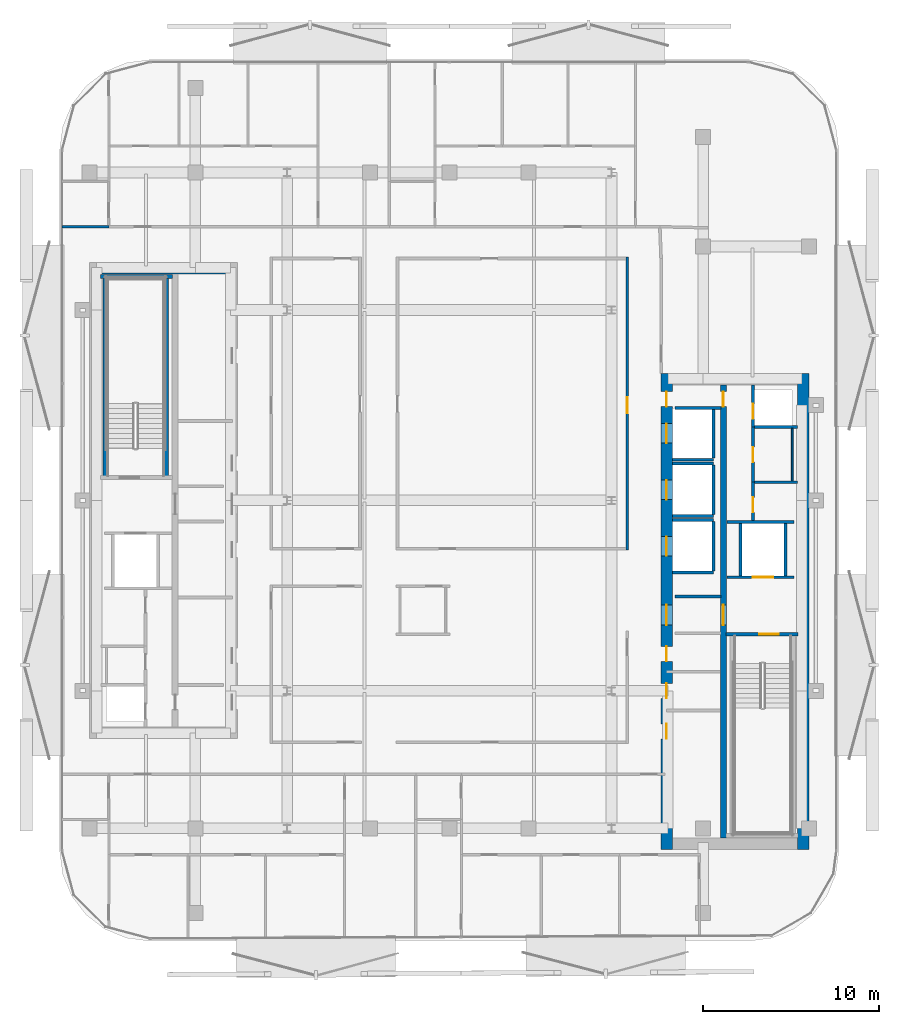
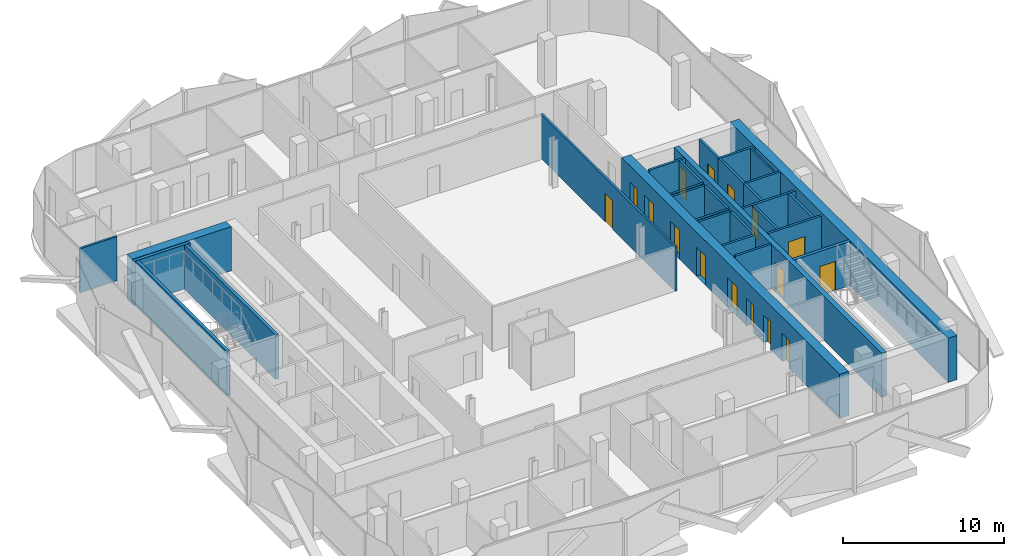
# One storey, part 5 of 14: 30 walls, 16 doors, 16 openings.
"""IFC4 building model written with IfcOpenShell, lengths in metres."""

from ifc_helpers import new_model, si_unit, direction, frame, frame_2d, origin, place, context, subcontext, project, spatial, rectangle, extrude, material, layer, layer_set, type_object, element, fill, save


model = new_model("IFC4")

# Units and contexts
model_context = context("Model", 3, precision=1e-05, world=origin(), true_north=direction((0.0, 1.0)))
body_context = subcontext(model_context, "Body", "Model", "MODEL_VIEW")
ifc_project = project(units=[si_unit("LENGTHUNIT", "METRE"), si_unit("AREAUNIT", "SQUARE_METRE"), si_unit("VOLUMEUNIT", "CUBIC_METRE"), si_unit("PLANEANGLEUNIT", "RADIAN"), si_unit("MASSUNIT", "GRAM", prefix="KILO")], contexts=[model_context])

# Site, building, storey
site_placement = place(None, origin())
site = spatial("IfcSite", under=ifc_project, at=site_placement, CompositionType="ELEMENT")
building_placement = place(site_placement, origin())
building = spatial("IfcBuilding", under=site, at=building_placement, Name="Khairoan Windgate Tower", CompositionType="ELEMENT")
storey_placement = place(building_placement, frame((0.0, 0.0, 233.199951171875)))
storey = spatial("IfcBuildingStorey", under=building, at=storey_placement, Name="L54", CompositionType="ELEMENT", Elevation=233.199951171875)

# Walls
ifc_material_1 = material(Name="Moisture-Resistant Gypsum Partition", Category="gypsum")
ifc_layer_1 = layer(ifc_material_1, 0.10009765625, Name="Moisture-Resistant Gypsum Partition")
ifc_layer_set_1 = layer_set([ifc_layer_1], Name="Moisture-Resistant Gypsum Partition")
wall_type_1 = type_object("IfcWallType", Name="Bathroom Wet-Area Partition Wall", PredefinedType="PARTITIONING", material=ifc_layer_set_1)
wall_1_placement = place(storey_placement, frame((19.449951171875, 4.090087890625, 0.0), z_axis=(0.0, 0.0, 1.0), x_axis=(0.0, -1.0, 0.0)))
element("IfcWall", 1, at=wall_1_placement, inside=storey, type_object=wall_type_1, Name="L54 Wet Room Side Wall 092", PredefinedType="PARTITIONING", context=body_context, shape_type="SweptSolid", body=[
    extrude(rectangle(XDim=2.97998046875, YDim=0.10009765625, at=frame_2d((1.489990234375, 0.0))), origin(), (0.0, 0.0, 1.0), 3.340087890625),
])
ifc_material_2 = material(Name="Concrete C40/50", Category="concrete")
ifc_layer_2 = layer(ifc_material_2, 0.159912109375, Name="Concrete C40/50")
ifc_layer_set_2 = layer_set([ifc_layer_2], Name="Concrete C40/50")
wall_type_2 = type_object("IfcWallType", Name="Core and Hoistway Enclosure Wall", PredefinedType="STANDARD", material=ifc_layer_set_2)
wall_2_placement = place(storey_placement, frame((12.64990234375, 2.31005859375, 0.0), z_axis=(0.0, 0.0, 1.0), x_axis=(1.0, 0.0, 0.0)))
element("IfcWall", 2, at=wall_2_placement, inside=storey, type_object=wall_type_2, Name="L54 Lift PL7 Hoistway Divider S", PredefinedType="STANDARD", context=body_context, shape_type="SweptSolid", body=[
    extrude(rectangle(XDim=2.340087890625, YDim=0.159912109375, at=frame_2d((1.169921875, 0.0))), origin(), (0.0, 0.0, 1.0), 3.340087890625),
])
wall_3_placement = place(storey_placement, frame((14.989990234375, 2.39990234375, 0.0), z_axis=(0.0, 0.0, 1.0), x_axis=(0.0, 1.0, 0.0)))
element("IfcWall", 3, at=wall_3_placement, inside=storey, type_object=wall_type_2, Name="L54 Lift PL7 Hoistway Back Wall", PredefinedType="STANDARD", context=body_context, shape_type="SweptSolid", body=[
    extrude(rectangle(XDim=2.800048828125, YDim=0.159912109375, at=frame_2d((1.39990234375, 0.0))), origin(), (0.0, 0.0, 1.0), 3.340087890625),
])
for number, where, z_axis, x_axis, name in (
    (4, (12.64990234375, -0.889892578125, 0.0), (0.0, 0.0, 1.0), (1.0, 0.0, 0.0), "L54 Lift PL8 Hoistway Divider S"),
    (5, (12.64990234375, 2.090087890625, 0.0), (0.0, 0.0, 1.0), (1.0, 0.0, 0.0), "L54 Lift PL8 Hoistway Divider N"),
):
    element("IfcWall", number, at=place(storey_placement, frame(where, z_axis=z_axis, x_axis=x_axis)), inside=storey, type_object=wall_type_2, Name=name, PredefinedType="STANDARD", context=body_context, shape_type="SweptSolid", body=[
        extrude(rectangle(XDim=2.340087890625, YDim=0.159912109375, at=frame_2d((1.169921875, 0.0))), origin(), (0.0, 0.0, 1.0), 3.340087890625),
    ])
wall_4_placement = place(storey_placement, frame((14.989990234375, -0.800048828125, 0.0), z_axis=(0.0, 0.0, 1.0), x_axis=(0.0, 1.0, 0.0)))
element("IfcWall", 6, at=wall_4_placement, inside=storey, type_object=wall_type_2, Name="L54 Lift PL8 Hoistway Back Wall", PredefinedType="STANDARD", context=body_context, shape_type="SweptSolid", body=[
    extrude(rectangle(XDim=2.800048828125, YDim=0.159912109375, at=frame_2d((1.39990234375, 0.0))), origin(), (0.0, 0.0, 1.0), 3.340087890625),
])
for number, where, z_axis, x_axis, name in (
    (7, (12.64990234375, -4.090087890625, 0.0), (0.0, 0.0, 1.0), (1.0, 0.0, 0.0), "L54 Lift PL9 Hoistway Divider S"),
    (8, (12.64990234375, -1.110107421875, 0.0), (0.0, 0.0, 1.0), (1.0, 0.0, 0.0), "L54 Lift PL9 Hoistway Divider N"),
):
    element("IfcWall", number, at=place(storey_placement, frame(where, z_axis=z_axis, x_axis=x_axis)), inside=storey, type_object=wall_type_2, Name=name, PredefinedType="STANDARD", context=body_context, shape_type="SweptSolid", body=[
        extrude(rectangle(XDim=2.340087890625, YDim=0.159912109375, at=frame_2d((1.169921875, 0.0))), origin(), (0.0, 0.0, 1.0), 3.340087890625),
    ])
wall_5_placement = place(storey_placement, frame((14.989990234375, -4.0, 0.0), z_axis=(0.0, 0.0, 1.0), x_axis=(0.0, 1.0, 0.0)))
element("IfcWall", 9, at=wall_5_placement, inside=storey, type_object=wall_type_2, Name="L54 Lift PL9 Hoistway Back Wall", PredefinedType="STANDARD", context=body_context, shape_type="SweptSolid", body=[
    extrude(rectangle(XDim=2.800048828125, YDim=0.159912109375, at=frame_2d((1.39990234375, 0.0))), origin(), (0.0, 0.0, 1.0), 3.340087890625),
])

# Wall, opening, door
wall_6_placement = place(storey_placement, frame((15.75, -4.360107421875, 0.0), z_axis=(0.0, 0.0, 1.0), x_axis=(1.0, 0.0, 0.0)))
wall_6 = element("IfcWall", 10, at=wall_6_placement, inside=storey, type_object=wall_type_2, Name="L54 Core Shaft Wall SW-FL1-L54", PredefinedType="STANDARD", context=body_context, shape_type="SweptSolid", body=[
    extrude(rectangle(XDim=3.800048828125, YDim=0.159912109375, at=frame_2d((1.89990234375, 0.0))), origin(), (0.0, 0.0, 1.0), 3.340087890625),
])
opening_1_placement = place(wall_6_placement, frame((1.469970703125, 0.0, 0.0)))
opening_1 = element("IfcOpeningElement", 11, at=opening_1_placement, cuts=wall_6, Name="Opening LD-FL", PredefinedType="OPENING", context=body_context, shape_type="SweptSolid", body=[
    extrude(rectangle(XDim=1.14990234375, YDim=2.199951171875, at=frame_2d((0.574951171875, 1.10009765625))), frame((0.0, 0.08984375, 0.0), z_axis=(0.0, -1.0, 0.0), x_axis=(1.0, 0.0, 0.0)), (0.0, 0.0, 1.0), 0.179931640625),
])
ifc_material_3 = material(Name="Steel S355", Category="steel")
door_type_1 = type_object("IfcDoorType", Name="Firefighting Lift Sliding Landing Door LD-FL 1150x2200", OperationType="DOUBLE_DOOR_SLIDING", PredefinedType="DOOR", material=ifc_material_3)
door_1_placement = place(opening_1_placement, origin())
door_1 = element("IfcDoor", 12, at=door_1_placement, inside=storey, type_object=door_type_1, Name="L54 Firefighting Lift FL1 Landing Door", OperationType="DOUBLE_DOOR_SLIDING", OverallHeight=2.199951171875, OverallWidth=1.14990234375, PredefinedType="DOOR", context=body_context, shape_type="SweptSolid", body=[
    extrude(rectangle(XDim=1.14990234375, YDim=2.199951171875, at=frame_2d((0.574951171875, 1.10009765625))), frame((0.0, 0.02490234375, 0.0), z_axis=(0.0, -1.0, 0.0), x_axis=(1.0, 0.0, 0.0)), (0.0, 0.0, 1.0), 0.050048828125),
])
fill(opening_1, door_1)

# Walls
wall_7_placement = place(storey_placement, frame((15.75, -1.219970703125, 0.0), z_axis=(0.0, 0.0, 1.0), x_axis=(1.0, 0.0, 0.0)))
element("IfcWall", 13, at=wall_7_placement, inside=storey, type_object=wall_type_2, Name="L54 Core Shaft Wall SW-FL1T-L54", PredefinedType="STANDARD", context=body_context, shape_type="SweptSolid", body=[
    extrude(rectangle(XDim=3.800048828125, YDim=0.159912109375, at=frame_2d((1.89990234375, 0.0))), origin(), (0.0, 0.0, 1.0), 3.340087890625),
])
for number, where, z_axis, x_axis, name in (
    (14, (16.52001953125, -4.280029296875, 0.0), (0.0, 0.0, 1.0), (0.0, 1.0, 0.0), "L54 Core Shaft Wall SW-FL1W-L54"),
    (15, (19.080078125, -4.280029296875, 0.0), (0.0, 0.0, 1.0), (0.0, 1.0, 0.0), "L54 Core Shaft Wall SW-FL1E-L54"),
):
    element("IfcWall", number, at=place(storey_placement, frame(where, z_axis=z_axis, x_axis=x_axis)), inside=storey, type_object=wall_type_2, Name=name, PredefinedType="STANDARD", context=body_context, shape_type="SweptSolid", body=[
        extrude(rectangle(XDim=2.97998046875, YDim=0.159912109375, at=frame_2d((1.489990234375, 0.0))), origin(), (0.0, 0.0, 1.0), 3.340087890625),
    ])
for number, where, z_axis, x_axis, name in (
    (16, (12.800048828125, -5.449951171875, 0.0), (0.0, 0.0, 1.0), (1.0, 0.0, 0.0), "L54 Core Shaft Wall SW-EV1-L54"),
    (17, (12.800048828125, 5.25, 0.0), (0.0, 0.0, 1.0), (1.0, 0.0, 0.0), "L54 Core Shaft Wall SW-ESV-L54"),
):
    element("IfcWall", number, at=place(storey_placement, frame(where, z_axis=z_axis, x_axis=x_axis)), inside=storey, type_object=wall_type_2, Name=name, PredefinedType="STANDARD", context=body_context, shape_type="SweptSolid", body=[
        extrude(rectangle(XDim=2.599853515625, YDim=0.159912109375, at=frame_2d((1.2998046875, 0.0))), origin(), (0.0, 0.0, 1.0), 3.340087890625),
    ])

# Wall, opening, door
ifc_material_4 = material(Name="Concrete C40/50", Category="concrete")
ifc_layer_3 = layer(ifc_material_4, 0.159912109375, Name="Concrete C40/50")
ifc_layer_set_3 = layer_set([ifc_layer_3], Name="Concrete C40/50")
wall_type_3 = type_object("IfcWallType", Name="Plant and Refuge Compartment Wall", PredefinedType="PARTITIONING", material=ifc_layer_set_3)
wall_8_placement = place(storey_placement, frame((17.22998046875, 4.169921875, 0.0), z_axis=(0.0, 0.0, 1.0), x_axis=(0.0, 1.0, 0.0)))
wall_8 = element("IfcWall", 18, at=wall_8_placement, inside=storey, type_object=wall_type_3, Name="L54 Interior Partition 008", PredefinedType="PARTITIONING", context=body_context, shape_type="SweptSolid", body=[
    extrude(rectangle(XDim=2.380126953125, YDim=0.159912109375, at=frame_2d((1.18994140625, 0.0))), origin(), (0.0, 0.0, 1.0), 3.340087890625),
])
opening_2_placement = place(wall_8_placement, frame((0.4599609375, 0.0, 0.0)))
opening_2 = element("IfcOpeningElement", 19, at=opening_2_placement, cuts=wall_8, Name="Opening FD-SRV", PredefinedType="OPENING", context=body_context, shape_type="SweptSolid", body=[
    extrude(rectangle(XDim=0.85009765625, YDim=2.10009765625, at=frame_2d((0.425048828125, 1.050048828125))), frame((0.0, 0.08984375, 0.0), z_axis=(0.0, -1.0, 0.0), x_axis=(1.0, 0.0, 0.0)), (0.0, 0.0, 1.0), 0.179931640625),
])
ifc_material_5 = material(Name="Steel S355", Category="steel")
door_type_2 = type_object("IfcDoorType", Name="Core Service and Riser Fire Door FD-SRV 850x2100", OperationType="NOTDEFINED", PredefinedType="DOOR", material=ifc_material_5)
door_2_placement = place(opening_2_placement, origin())
door_2 = element("IfcDoor", 20, at=door_2_placement, inside=storey, type_object=door_type_2, Name="L54 L54-17-L54-18 Door", OperationType="SINGLE_SWING_RIGHT", OverallHeight=2.10009765625, OverallWidth=0.85009765625, PredefinedType="DOOR", context=body_context, shape_type="SweptSolid", body=[
    extrude(rectangle(XDim=0.85009765625, YDim=2.10009765625, at=frame_2d((0.425048828125, 1.050048828125))), frame((0.0, 0.02490234375, 0.0), z_axis=(0.0, -1.0, 0.0), x_axis=(1.0, 0.0, 0.0)), (0.0, 0.0, 1.0), 0.050048828125),
])
fill(opening_2, door_2)

wall_9_placement = place(storey_placement, frame((17.22998046875, -1.139892578125, 0.0), z_axis=(0.0, 0.0, 1.0), x_axis=(0.0, 1.0, 0.0)))
wall_9 = element("IfcWall", 21, at=wall_9_placement, inside=storey, type_object=wall_type_3, Name="L54 Interior Partition 009", PredefinedType="PARTITIONING", context=body_context, shape_type="SweptSolid", body=[
    extrude(rectangle(XDim=2.169921875, YDim=0.159912109375, at=frame_2d((1.0849609375, 0.0))), origin(), (0.0, 0.0, 1.0), 3.340087890625),
])
opening_3_placement = place(wall_9_placement, frame((0.4599609375, 0.0, 0.0)))
opening_3 = element("IfcOpeningElement", 22, at=opening_3_placement, cuts=wall_9, Name="Opening FD-SRV", PredefinedType="OPENING", context=body_context, shape_type="SweptSolid", body=[
    extrude(rectangle(XDim=0.85009765625, YDim=2.10009765625, at=frame_2d((0.425048828125, 1.050048828125))), frame((0.0, 0.08984375, 0.0), z_axis=(0.0, -1.0, 0.0), x_axis=(1.0, 0.0, 0.0)), (0.0, 0.0, 1.0), 0.179931640625),
])
door_3_placement = place(opening_3_placement, origin())
door_3 = element("IfcDoor", 23, at=door_3_placement, inside=storey, type_object=door_type_2, Name="L54 L54-17-L54-19 Door", OperationType="SINGLE_SWING_LEFT", OverallHeight=2.10009765625, OverallWidth=0.85009765625, PredefinedType="DOOR", context=body_context, shape_type="SweptSolid", body=[
    extrude(rectangle(XDim=0.85009765625, YDim=2.10009765625, at=frame_2d((0.425048828125, 1.050048828125))), frame((0.0, 0.02490234375, 0.0), z_axis=(0.0, -1.0, 0.0), x_axis=(1.0, 0.0, 0.0)), (0.0, 0.0, 1.0), 0.050048828125),
])
fill(opening_3, door_3)

wall_10_placement = place(storey_placement, frame((17.22998046875, 1.030029296875, 0.0), z_axis=(0.0, 0.0, 1.0), x_axis=(0.0, 1.0, 0.0)))
wall_10 = element("IfcWall", 24, at=wall_10_placement, inside=storey, type_object=wall_type_3, Name="L54 Interior Partition 010", PredefinedType="PARTITIONING", context=body_context, shape_type="SweptSolid", body=[
    extrude(rectangle(XDim=3.139892578125, YDim=0.159912109375, at=frame_2d((1.56982421875, 0.0))), origin(), (0.0, 0.0, 1.0), 3.340087890625),
])
opening_4_placement = place(wall_10_placement, frame((1.14501953125, 0.0, 0.0)))
opening_4 = element("IfcOpeningElement", 25, at=opening_4_placement, cuts=wall_10, Name="Opening FD-SRV", PredefinedType="OPENING", context=body_context, shape_type="SweptSolid", body=[
    extrude(rectangle(XDim=0.85009765625, YDim=2.10009765625, at=frame_2d((0.425048828125, 1.050048828125))), frame((0.0, 0.08984375, 0.0), z_axis=(0.0, -1.0, 0.0), x_axis=(1.0, 0.0, 0.0)), (0.0, 0.0, 1.0), 0.179931640625),
])
door_4_placement = place(opening_4_placement, origin())
door_4 = element("IfcDoor", 26, at=door_4_placement, inside=storey, type_object=door_type_2, Name="L54 L54-17-L54-20 Door", OperationType="SINGLE_SWING_RIGHT", OverallHeight=2.10009765625, OverallWidth=0.85009765625, PredefinedType="DOOR", context=body_context, shape_type="SweptSolid", body=[
    extrude(rectangle(XDim=0.85009765625, YDim=2.10009765625, at=frame_2d((0.425048828125, 1.050048828125))), frame((0.0, 0.02490234375, 0.0), z_axis=(0.0, -1.0, 0.0), x_axis=(1.0, 0.0, 0.0)), (0.0, 0.0, 1.0), 0.050048828125),
])
fill(opening_4, door_4)

# Walls
for number, where, z_axis, x_axis, name in (
    (27, (17.31005859375, 4.169921875, 0.0), (0.0, 0.0, 1.0), (1.0, 0.0, 0.0), "L54 Interior Partition 011"),
    (28, (17.31005859375, 1.030029296875, 0.0), (0.0, 0.0, 1.0), (1.0, 0.0, 0.0), "L54 Interior Partition 012"),
):
    element("IfcWall", number, at=place(storey_placement, frame(where, z_axis=z_axis, x_axis=x_axis)), inside=storey, type_object=wall_type_3, Name=name, PredefinedType="PARTITIONING", context=body_context, shape_type="SweptSolid", body=[
        extrude(rectangle(XDim=2.43994140625, YDim=0.159912109375, at=frame_2d((1.219970703125, 0.0))), origin(), (0.0, 0.0, 1.0), 3.340087890625),
    ])

# Wall, opening, door
ifc_material_6 = material(Name="Acoustic Fire-Rated Gypsum Partition", Category="gypsum")
ifc_layer_4 = layer(ifc_material_6, 0.14990234375, Name="Acoustic Fire-Rated Gypsum Partition")
ifc_layer_set_4 = layer_set([ifc_layer_4], Name="Acoustic Fire-Rated Gypsum Partition")
wall_type_4 = type_object("IfcWallType", Name="Rated Corridor Partition Wall", PredefinedType="PARTITIONING", material=ifc_layer_set_4)
wall_11_placement = place(storey_placement, frame((10.10009765625, -2.81005859375, 0.0), z_axis=(0.0, 0.0, 1.0), x_axis=(0.0, 1.0, 0.0)))
wall_11 = element("IfcWall", 29, at=wall_11_placement, inside=storey, type_object=wall_type_4, Name="L54 Interior Partition 018", PredefinedType="PARTITIONING", context=body_context, shape_type="SweptSolid", body=[
    extrude(rectangle(XDim=16.60498046875, YDim=0.14990234375, at=frame_2d((8.302490234375, 0.0))), origin(), (0.0, 0.0, 1.0), 3.340087890625),
])
opening_5_placement = place(wall_11_placement, frame((7.751220703125, 0.0, 0.0)))
opening_5 = element("IfcOpeningElement", 30, at=opening_5_placement, cuts=wall_11, Name="Opening FD-ENT", PredefinedType="OPENING", context=body_context, shape_type="SweptSolid", body=[
    extrude(rectangle(XDim=0.89990234375, YDim=2.14990234375, at=frame_2d((0.449951171875, 1.074951171875))), frame((0.0, 0.0849609375, 0.0), z_axis=(0.0, -1.0, 0.0), x_axis=(1.0, 0.0, 0.0)), (0.0, 0.0, 1.0), 0.169921875),
])
ifc_material_7 = material(Name="Timber Fire-Rated Core", Category="wood")
door_type_3 = type_object("IfcDoorType", Name="Unit and Office Fire Entrance Door FD-ENT 900x2150", OperationType="NOTDEFINED", PredefinedType="DOOR", material=ifc_material_7)
door_5_placement = place(opening_5_placement, origin())
door_5 = element("IfcDoor", 31, at=door_5_placement, inside=storey, type_object=door_type_3, Name="L54 L54-30-L54-66 Door", OperationType="SINGLE_SWING_RIGHT", OverallHeight=2.14990234375, OverallWidth=0.89990234375, PredefinedType="DOOR", context=body_context, shape_type="SweptSolid", body=[
    extrude(rectangle(XDim=0.89990234375, YDim=2.14990234375, at=frame_2d((0.449951171875, 1.074951171875))), frame((0.0, 0.02490234375, 0.0), z_axis=(0.0, -1.0, 0.0), x_axis=(1.0, 0.0, 0.0)), (0.0, 0.0, 1.0), 0.050048828125),
])
fill(opening_5, door_5)

# Wall
wall_12_placement = place(storey_placement, frame((-21.955078125, 15.52490234375, 0.0), z_axis=(0.0, 0.0, 1.0), x_axis=(1.0, 0.0, 0.0)))
element("IfcWall", 32, at=wall_12_placement, inside=storey, type_object=wall_type_4, Name="L54 Interior Partition 026", PredefinedType="PARTITIONING", context=body_context, shape_type="SweptSolid", body=[
    extrude(rectangle(XDim=2.64501953125, YDim=0.14990234375, at=frame_2d((1.322509765625, 0.0))), origin(), (0.0, 0.0, 1.0), 3.340087890625),
])

# Wall, openings, doors
ifc_material_8 = material(Name="Concrete C60/75", Category="concrete")
ifc_layer_5 = layer(ifc_material_8, 0.64990234375, Name="Concrete C60/75")
ifc_layer_set_5 = layer_set([ifc_layer_5], Name="Concrete C60/75")
wall_type_5 = type_object("IfcWallType", Name="Shear Wall CW-E2 650mm", PredefinedType="SHEAR", material=ifc_layer_set_5)
wall_13_placement = place(storey_placement, frame((12.324951171875, -19.800048828125, 0.0), z_axis=(0.0, 0.0, 1.0), x_axis=(0.0, 1.0, 0.0)))
wall_13 = element("IfcWall", 33, at=wall_13_placement, inside=storey, type_object=wall_type_5, Name="E Core West Shear Wall L54", PredefinedType="SHEAR", context=body_context, shape_type="SweptSolid", body=[
    extrude(rectangle(XDim=27.0, YDim=0.64990234375, at=frame_2d((13.5, 0.0))), origin(), (0.0, 0.0, 1.0), 3.340087890625),
])
opening_6_placement = place(wall_13_placement, frame((23.050048828125, 0.0, 0.0)))
opening_6 = element("IfcOpeningElement", 34, at=opening_6_placement, cuts=wall_13, Name="Opening LD-PL", PredefinedType="OPENING", context=body_context, shape_type="SweptSolid", body=[
    extrude(rectangle(XDim=1.10009765625, YDim=2.199951171875, at=frame_2d((0.550048828125, 1.10009765625))), frame((0.0, 0.3349609375, 0.0), z_axis=(0.0, -1.0, 0.0), x_axis=(1.0, 0.0, 0.0)), (0.0, 0.0, 1.0), 0.669921875),
])
opening_7_placement = place(wall_13_placement, frame((19.85009765625, 0.0, 0.0)))
opening_7 = element("IfcOpeningElement", 35, at=opening_7_placement, cuts=wall_13, Name="Opening LD-PL", PredefinedType="OPENING", context=body_context, shape_type="SweptSolid", body=[
    extrude(rectangle(XDim=1.10009765625, YDim=2.199951171875, at=frame_2d((0.550048828125, 1.10009765625))), frame((0.0, 0.3349609375, 0.0), z_axis=(0.0, -1.0, 0.0), x_axis=(1.0, 0.0, 0.0)), (0.0, 0.0, 1.0), 0.669921875),
])
opening_8_placement = place(wall_13_placement, frame((16.64990234375, 0.0, 0.0)))
opening_8 = element("IfcOpeningElement", 36, at=opening_8_placement, cuts=wall_13, Name="Opening LD-PL", PredefinedType="OPENING", context=body_context, shape_type="SweptSolid", body=[
    extrude(rectangle(XDim=1.10009765625, YDim=2.199951171875, at=frame_2d((0.550048828125, 1.10009765625))), frame((0.0, 0.3349609375, 0.0), z_axis=(0.0, -1.0, 0.0), x_axis=(1.0, 0.0, 0.0)), (0.0, 0.0, 1.0), 0.669921875),
])
opening_9_placement = place(wall_13_placement, frame((6.27490234375, 0.0, 0.0)))
opening_9 = element("IfcOpeningElement", 37, at=opening_9_placement, cuts=wall_13, Name="Opening FD-SRV", PredefinedType="OPENING", context=body_context, shape_type="SweptSolid", body=[
    extrude(rectangle(XDim=0.85009765625, YDim=2.10009765625, at=frame_2d((0.425048828125, 1.050048828125))), frame((0.0, 0.3349609375, 0.0), z_axis=(0.0, -1.0, 0.0), x_axis=(1.0, 0.0, 0.0)), (0.0, 0.0, 1.0), 0.669921875),
])
opening_10_placement = place(wall_13_placement, frame((8.574951171875, 0.0, 0.0)))
opening_10 = element("IfcOpeningElement", 38, at=opening_10_placement, cuts=wall_13, Name="Opening FD-SRV", PredefinedType="OPENING", context=body_context, shape_type="SweptSolid", body=[
    extrude(rectangle(XDim=0.85009765625, YDim=2.10009765625, at=frame_2d((0.425048828125, 1.050048828125))), frame((0.0, 0.3349609375, 0.0), z_axis=(0.0, -1.0, 0.0), x_axis=(1.0, 0.0, 0.0)), (0.0, 0.0, 1.0), 0.669921875),
])
opening_11_placement = place(wall_13_placement, frame((10.675048828125, 0.0, 0.0)))
opening_11 = element("IfcOpeningElement", 39, at=opening_11_placement, cuts=wall_13, Name="Opening FD-SRV", PredefinedType="OPENING", context=body_context, shape_type="SweptSolid", body=[
    extrude(rectangle(XDim=0.85009765625, YDim=2.10009765625, at=frame_2d((0.425048828125, 1.050048828125))), frame((0.0, 0.3349609375, 0.0), z_axis=(0.0, -1.0, 0.0), x_axis=(1.0, 0.0, 0.0)), (0.0, 0.0, 1.0), 0.669921875),
])
opening_12_placement = place(wall_13_placement, frame((12.72509765625, 0.0, 0.0)))
opening_12 = element("IfcOpeningElement", 40, at=opening_12_placement, cuts=wall_13, Name="Opening FD-FFL", PredefinedType="OPENING", context=body_context, shape_type="SweptSolid", body=[
    extrude(rectangle(XDim=1.14990234375, YDim=2.199951171875, at=frame_2d((0.574951171875, 1.10009765625))), frame((0.0, 0.3349609375, 0.0), z_axis=(0.0, -1.0, 0.0), x_axis=(1.0, 0.0, 0.0)), (0.0, 0.0, 1.0), 0.669921875),
])
opening_13_placement = place(wall_13_placement, frame((25.125, 0.0, 0.0)))
opening_13 = element("IfcOpeningElement", 41, at=opening_13_placement, cuts=wall_13, Name="Opening FD-SRV", PredefinedType="OPENING", context=body_context, shape_type="SweptSolid", body=[
    extrude(rectangle(XDim=0.85009765625, YDim=2.10009765625, at=frame_2d((0.425048828125, 1.050048828125))), frame((0.0, 0.3349609375, 0.0), z_axis=(0.0, -1.0, 0.0), x_axis=(1.0, 0.0, 0.0)), (0.0, 0.0, 1.0), 0.669921875),
])
door_6_placement = place(opening_9_placement, origin())
door_6 = element("IfcDoor", 42, at=door_6_placement, inside=storey, type_object=door_type_2, Name="L54 East Core Service Room Door 1", OperationType="SINGLE_SWING_RIGHT", OverallHeight=2.10009765625, OverallWidth=0.85009765625, PredefinedType="DOOR", context=body_context, shape_type="SweptSolid", body=[
    extrude(rectangle(XDim=0.85009765625, YDim=2.10009765625, at=frame_2d((0.425048828125, 1.050048828125))), frame((0.0, 0.02490234375, 0.0), z_axis=(0.0, -1.0, 0.0), x_axis=(1.0, 0.0, 0.0)), (0.0, 0.0, 1.0), 0.050048828125),
])
fill(opening_9, door_6)
door_7_placement = place(opening_10_placement, origin())
door_7 = element("IfcDoor", 43, at=door_7_placement, inside=storey, type_object=door_type_2, Name="L54 East Core Service Room Door 2", OperationType="SINGLE_SWING_LEFT", OverallHeight=2.10009765625, OverallWidth=0.85009765625, PredefinedType="DOOR", context=body_context, shape_type="SweptSolid", body=[
    extrude(rectangle(XDim=0.85009765625, YDim=2.10009765625, at=frame_2d((0.425048828125, 1.050048828125))), frame((0.0, 0.02490234375, 0.0), z_axis=(0.0, -1.0, 0.0), x_axis=(1.0, 0.0, 0.0)), (0.0, 0.0, 1.0), 0.050048828125),
])
fill(opening_10, door_7)
door_8_placement = place(opening_11_placement, origin())
door_8 = element("IfcDoor", 44, at=door_8_placement, inside=storey, type_object=door_type_2, Name="L54 East Core Service Room Door 3", OperationType="SINGLE_SWING_RIGHT", OverallHeight=2.10009765625, OverallWidth=0.85009765625, PredefinedType="DOOR", context=body_context, shape_type="SweptSolid", body=[
    extrude(rectangle(XDim=0.85009765625, YDim=2.10009765625, at=frame_2d((0.425048828125, 1.050048828125))), frame((0.0, 0.02490234375, 0.0), z_axis=(0.0, -1.0, 0.0), x_axis=(1.0, 0.0, 0.0)), (0.0, 0.0, 1.0), 0.050048828125),
])
fill(opening_11, door_8)
door_9_placement = place(opening_13_placement, origin())
door_9 = element("IfcDoor", 45, at=door_9_placement, inside=storey, type_object=door_type_2, Name="L54 East Core Service Vestibule Outer Door", OperationType="SINGLE_SWING_LEFT", OverallHeight=2.10009765625, OverallWidth=0.85009765625, PredefinedType="DOOR", context=body_context, shape_type="SweptSolid", body=[
    extrude(rectangle(XDim=0.85009765625, YDim=2.10009765625, at=frame_2d((0.425048828125, 1.050048828125))), frame((0.0, 0.02490234375, 0.0), z_axis=(0.0, -1.0, 0.0), x_axis=(1.0, 0.0, 0.0)), (0.0, 0.0, 1.0), 0.050048828125),
])
fill(opening_13, door_9)
ifc_material_9 = material(Name="Steel S355", Category="steel")
door_type_4 = type_object("IfcDoorType", Name="Firefighting Lobby Fire Door FD-FFL 1150x2200", OperationType="NOTDEFINED", PredefinedType="DOOR", material=ifc_material_9)
door_10_placement = place(opening_12_placement, origin())
door_10 = element("IfcDoor", 46, at=door_10_placement, inside=storey, type_object=door_type_4, Name="L54 East Core Vestibule Entry Door", OperationType="SINGLE_SWING_LEFT", OverallHeight=2.199951171875, OverallWidth=1.14990234375, PredefinedType="DOOR", context=body_context, shape_type="SweptSolid", body=[
    extrude(rectangle(XDim=1.14990234375, YDim=2.199951171875, at=frame_2d((0.574951171875, 1.10009765625))), frame((0.0, 0.02490234375, 0.0), z_axis=(0.0, -1.0, 0.0), x_axis=(1.0, 0.0, 0.0)), (0.0, 0.0, 1.0), 0.050048828125),
])
fill(opening_12, door_10)
ifc_material_10 = material(Name="Anodised Bronze Aluminium 6063-T6", Category="aluminium")
door_type_5 = type_object("IfcDoorType", Name="Passenger Lift Sliding Landing Door LD-PL 1100x2200", OperationType="DOUBLE_DOOR_SLIDING", PredefinedType="DOOR", material=ifc_material_10)
door_11_placement = place(opening_6_placement, origin())
door_11 = element("IfcDoor", 47, at=door_11_placement, inside=storey, type_object=door_type_5, Name="L54 Lift PL7 Sliding Landing Door", OperationType="DOUBLE_DOOR_SLIDING", OverallHeight=2.199951171875, OverallWidth=1.10009765625, PredefinedType="DOOR", context=body_context, shape_type="SweptSolid", body=[
    extrude(rectangle(XDim=1.10009765625, YDim=2.199951171875, at=frame_2d((0.550048828125, 1.10009765625))), frame((0.0, 0.02490234375, 0.0), z_axis=(0.0, -1.0, 0.0), x_axis=(1.0, 0.0, 0.0)), (0.0, 0.0, 1.0), 0.050048828125),
])
fill(opening_6, door_11)
door_12_placement = place(opening_7_placement, origin())
door_12 = element("IfcDoor", 48, at=door_12_placement, inside=storey, type_object=door_type_5, Name="L54 Lift PL8 Sliding Landing Door", OperationType="DOUBLE_DOOR_SLIDING", OverallHeight=2.199951171875, OverallWidth=1.10009765625, PredefinedType="DOOR", context=body_context, shape_type="SweptSolid", body=[
    extrude(rectangle(XDim=1.10009765625, YDim=2.199951171875, at=frame_2d((0.550048828125, 1.10009765625))), frame((0.0, 0.02490234375, 0.0), z_axis=(0.0, -1.0, 0.0), x_axis=(1.0, 0.0, 0.0)), (0.0, 0.0, 1.0), 0.050048828125),
])
fill(opening_7, door_12)
door_13_placement = place(opening_8_placement, origin())
door_13 = element("IfcDoor", 49, at=door_13_placement, inside=storey, type_object=door_type_5, Name="L54 Lift PL9 Sliding Landing Door", OperationType="DOUBLE_DOOR_SLIDING", OverallHeight=2.199951171875, OverallWidth=1.10009765625, PredefinedType="DOOR", context=body_context, shape_type="SweptSolid", body=[
    extrude(rectangle(XDim=1.10009765625, YDim=2.199951171875, at=frame_2d((0.550048828125, 1.10009765625))), frame((0.0, 0.02490234375, 0.0), z_axis=(0.0, -1.0, 0.0), x_axis=(1.0, 0.0, 0.0)), (0.0, 0.0, 1.0), 0.050048828125),
])
fill(opening_8, door_13)

# Walls
wall_14_placement = place(storey_placement, frame((20.074951171875, -19.800048828125, 0.0), z_axis=(0.0, 0.0, 1.0), x_axis=(0.0, 1.0, 0.0)))
element("IfcWall", 50, at=wall_14_placement, inside=storey, type_object=wall_type_5, Name="E Core East Shear Wall L54", PredefinedType="SHEAR", context=body_context, shape_type="SweptSolid", body=[
    extrude(rectangle(XDim=27.0, YDim=0.64990234375, at=frame_2d((13.5, 0.0))), origin(), (0.0, 0.0, 1.0), 3.340087890625),
])
ifc_material_11 = material(Name="Concrete C60/75", Category="concrete")
ifc_layer_6 = layer(ifc_material_11, 0.64990234375, Name="Concrete C60/75")
ifc_layer_set_6 = layer_set([ifc_layer_6], Name="Concrete C60/75")
wall_type_6 = type_object("IfcWallType", Name="Shear Wall CW-W2 650mm", PredefinedType="SHEAR", material=ifc_layer_set_6)
wall_15_placement = place(storey_placement, frame((-19.75, 13.175048828125, 0.0), z_axis=(0.0, 0.0, 1.0), x_axis=(1.0, 0.0, 0.0)))
element("IfcWall", 51, at=wall_15_placement, inside=storey, type_object=wall_type_6, Name="W Core North Shear Wall L54", PredefinedType="SHEAR", context=body_context, shape_type="SweptSolid", body=[
    extrude(rectangle(XDim=7.10009765625, YDim=0.64990234375, at=frame_2d((3.550048828125, 0.0))), origin(), (0.0, 0.0, 1.0), 3.340087890625),
])

# Wall, openings, doors
ifc_material_12 = material(Name="Concrete C60/75", Category="concrete")
ifc_layer_7 = layer(ifc_material_12, 0.35009765625, Name="Concrete C60/75")
ifc_layer_set_7 = layer_set([ifc_layer_7], Name="Concrete C60/75")
wall_type_7 = type_object("IfcWallType", Name="Shear Wall SW-1 350mm", PredefinedType="SHEAR", material=ifc_layer_set_7)
wall_16_placement = place(storey_placement, frame((15.550048828125, -19.14990234375, 0.0), z_axis=(0.0, 0.0, 1.0), x_axis=(0.0, 1.0, 0.0)))
wall_16 = element("IfcWall", 52, at=wall_16_placement, inside=storey, type_object=wall_type_7, Name="E Core Spine Shear Wall L54", PredefinedType="SHEAR", context=body_context, shape_type="SweptSolid", body=[
    extrude(rectangle(XDim=25.699951171875, YDim=0.35009765625, at=frame_2d((12.85009765625, 0.0))), origin(), (0.0, 0.0, 1.0), 3.340087890625),
])
opening_14_placement = place(wall_16_placement, frame((12.074951171875, 0.0, 0.0)))
opening_14 = element("IfcOpeningElement", 53, at=opening_14_placement, cuts=wall_16, Name="Opening FD-FFL", PredefinedType="OPENING", context=body_context, shape_type="SweptSolid", body=[
    extrude(rectangle(XDim=1.14990234375, YDim=2.199951171875, at=frame_2d((0.574951171875, 1.10009765625))), frame((0.0, 0.18505859375, 0.0), z_axis=(0.0, -1.0, 0.0), x_axis=(1.0, 0.0, 0.0)), (0.0, 0.0, 1.0), 0.3701171875),
])
opening_15_placement = place(wall_16_placement, frame((24.47509765625, 0.0, 0.0)))
opening_15 = element("IfcOpeningElement", 54, at=opening_15_placement, cuts=wall_16, Name="Opening FD-SRV", PredefinedType="OPENING", context=body_context, shape_type="SweptSolid", body=[
    extrude(rectangle(XDim=0.85009765625, YDim=2.10009765625, at=frame_2d((0.425048828125, 1.050048828125))), frame((0.0, 0.18505859375, 0.0), z_axis=(0.0, -1.0, 0.0), x_axis=(1.0, 0.0, 0.0)), (0.0, 0.0, 1.0), 0.3701171875),
])
door_14_placement = place(opening_15_placement, origin())
door_14 = element("IfcDoor", 55, at=door_14_placement, inside=storey, type_object=door_type_2, Name="L54 East Core Service Passage Inner Door", OperationType="SINGLE_SWING_RIGHT", OverallHeight=2.10009765625, OverallWidth=0.85009765625, PredefinedType="DOOR", context=body_context, shape_type="SweptSolid", body=[
    extrude(rectangle(XDim=0.85009765625, YDim=2.10009765625, at=frame_2d((0.425048828125, 1.050048828125))), frame((0.0, 0.02490234375, 0.0), z_axis=(0.0, -1.0, 0.0), x_axis=(1.0, 0.0, 0.0)), (0.0, 0.0, 1.0), 0.050048828125),
])
fill(opening_15, door_14)
door_15_placement = place(opening_14_placement, origin())
door_15 = element("IfcDoor", 56, at=door_15_placement, inside=storey, type_object=door_type_4, Name="L54 East Firefighting Lobby Fire Door", OperationType="SINGLE_SWING_RIGHT", OverallHeight=2.199951171875, OverallWidth=1.14990234375, PredefinedType="DOOR", context=body_context, shape_type="SweptSolid", body=[
    extrude(rectangle(XDim=1.14990234375, YDim=2.199951171875, at=frame_2d((0.574951171875, 1.10009765625))), frame((0.0, 0.02490234375, 0.0), z_axis=(0.0, -1.0, 0.0), x_axis=(1.0, 0.0, 0.0)), (0.0, 0.0, 1.0), 0.050048828125),
])
fill(opening_14, door_15)

# Wall, opening, door
ifc_material_13 = material(Name="Concrete C50/60", Category="concrete")
ifc_layer_8 = layer(ifc_material_13, 0.219970703125, Name="Concrete C50/60")
ifc_layer_set_8 = layer_set([ifc_layer_8], Name="Concrete C50/60")
wall_type_8 = type_object("IfcWallType", Name="Shear Wall SW-ST 220mm", PredefinedType="SHEAR", material=ifc_layer_set_8)
wall_17_placement = place(storey_placement, frame((19.77001953125, -7.590087890625, 0.0), z_axis=(0.0, 0.0, 1.0), x_axis=(-1.0, 0.0, 0.0)))
wall_17 = element("IfcWall", 57, at=wall_17_placement, inside=storey, type_object=wall_type_8, Name="L54 Stair ST1 North Bearing Wall", PredefinedType="SHEAR", context=body_context, shape_type="SweptSolid", body=[
    extrude(rectangle(XDim=4.06494140625, YDim=0.219970703125, at=frame_2d((2.032470703125, 0.0))), origin(), (0.0, 0.0, 1.0), 3.340087890625),
])
opening_16_placement = place(wall_17_placement, frame((1.080078125, 0.0, 0.0)))
opening_16 = element("IfcOpeningElement", 58, at=opening_16_placement, cuts=wall_17, Name="Opening FD-ST", PredefinedType="OPENING", context=body_context, shape_type="SweptSolid", body=[
    extrude(rectangle(XDim=1.10009765625, YDim=2.199951171875, at=frame_2d((0.550048828125, 1.10009765625))), frame((0.0, 0.119873046875, 0.0), z_axis=(0.0, -1.0, 0.0), x_axis=(1.0, 0.0, 0.0)), (0.0, 0.0, 1.0), 0.239990234375),
])
ifc_material_14 = material(Name="Steel S355", Category="steel")
door_type_6 = type_object("IfcDoorType", Name="Smokeproof Stair Fire Door FD-ST 1100x2200", OperationType="NOTDEFINED", PredefinedType="DOOR", material=ifc_material_14)
door_16_placement = place(opening_16_placement, origin())
door_16 = element("IfcDoor", 59, at=door_16_placement, inside=storey, type_object=door_type_6, Name="L54 Stair ST1 Fire Door", OperationType="SINGLE_SWING_RIGHT", OverallHeight=2.199951171875, OverallWidth=1.10009765625, PredefinedType="DOOR", context=body_context, shape_type="SweptSolid", body=[
    extrude(rectangle(XDim=1.10009765625, YDim=2.199951171875, at=frame_2d((0.550048828125, 1.10009765625))), frame((0.0, 0.02490234375, 0.0), z_axis=(0.0, -1.0, 0.0), x_axis=(1.0, 0.0, 0.0)), (0.0, 0.0, 1.0), 0.050048828125),
])
fill(opening_16, door_16)

# Walls
for number, where, z_axis, x_axis, name in (
    (60, (-16.0400390625, 1.2900390625, 0.0), (0.0, 0.0, 1.0), (0.0, 1.0, 0.0), "L54 Stair ST2 East Bearing Wall"),
    (61, (-19.530029296875, 1.2900390625, 0.0), (0.0, 0.0, 1.0), (0.0, 1.0, 0.0), "L54 Stair ST2 West Bearing Wall"),
):
    element("IfcWall", number, at=place(storey_placement, frame(where, z_axis=z_axis, x_axis=x_axis)), inside=storey, type_object=wall_type_8, Name=name, PredefinedType="SHEAR", context=body_context, shape_type="SweptSolid", body=[
        extrude(rectangle(XDim=11.419921875, YDim=0.219970703125, at=frame_2d((5.7099609375, 0.0))), origin(), (0.0, 0.0, 1.0), 3.340087890625),
    ])
wall_18_placement = place(storey_placement, frame((-19.77001953125, 12.7099609375, 0.0), z_axis=(0.0, 0.0, 1.0), x_axis=(1.0, 0.0, 0.0)))
element("IfcWall", 62, at=wall_18_placement, inside=storey, type_object=wall_type_8, Name="L54 Stair ST2 North Bearing Wall", PredefinedType="SHEAR", context=body_context, shape_type="SweptSolid", body=[
    extrude(rectangle(XDim=4.06494140625, YDim=0.219970703125, at=frame_2d((2.032470703125, 0.0))), origin(), (0.0, 0.0, 1.0), 3.340087890625),
])

save(model, "model.ifc")
